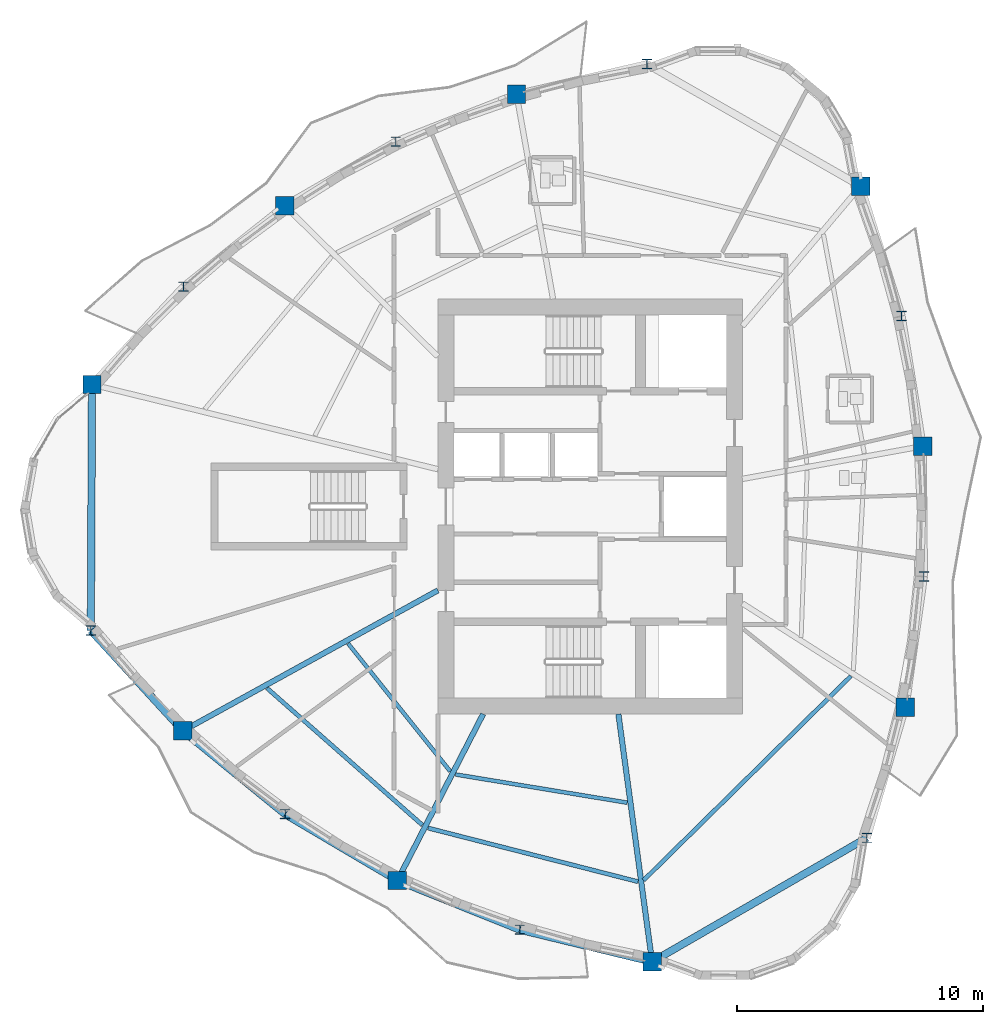
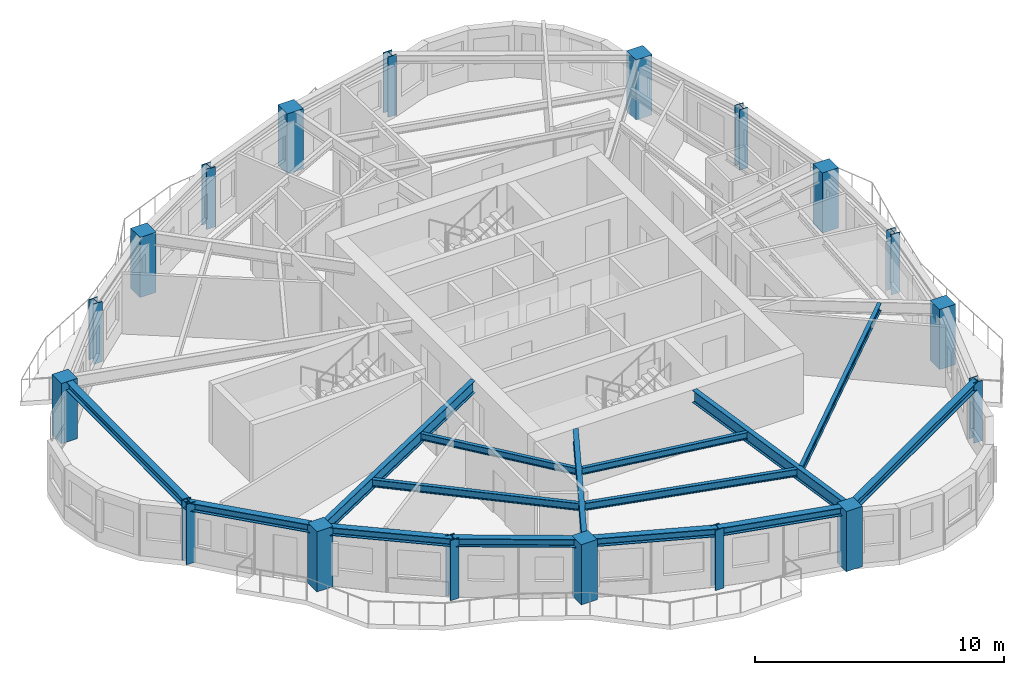
# One storey, part 1 of 13: 18 columns, 15 beams.
"""IFC4 building model written with IfcOpenShell, lengths in metres."""

from ifc_helpers import new_model, si_unit, direction, frame, origin, origin_2d, place, context, subcontext, project, spatial, rectangle, i_section, extrude, source, transform, mapped, material, material_profile, profile_set, type_object, element, save


model = new_model("IFC4")

# Units and contexts
model_context = context("Model", 3, precision=1e-05, world=origin(), true_north=direction((0.0, 1.0)))
body_context = subcontext(model_context, "Body", "Model", "MODEL_VIEW")
ifc_project = project(units=[si_unit("LENGTHUNIT", "METRE"), si_unit("AREAUNIT", "SQUARE_METRE"), si_unit("VOLUMEUNIT", "CUBIC_METRE"), si_unit("PLANEANGLEUNIT", "RADIAN"), si_unit("MASSUNIT", "GRAM", prefix="KILO")], contexts=[model_context])

# Site, building, storey
site_placement = place(None, origin())
site = spatial("IfcSite", under=ifc_project, at=site_placement, CompositionType="ELEMENT")
building_placement = place(site_placement, origin())
building = spatial("IfcBuilding", under=site, at=building_placement, Name="Qafzar Sky-Pleat Residences", CompositionType="ELEMENT")
storey_placement = place(building_placement, frame((0.0, 0.0, 136.199951171875)))
storey = spatial("IfcBuildingStorey", under=building, at=storey_placement, Name="L40", CompositionType="ELEMENT", Elevation=136.199951171875)

# Columns
ifc_material_1 = material(Name="Concrete C60/75", Category="concrete")
ifc_material_profile_1 = material_profile(ifc_material_1, rectangle(XDim=0.75, YDim=0.75, at=origin_2d()), Name="RC 750x750")
ifc_profile_set_1 = profile_set([ifc_material_profile_1], Name="Concrete C60/75")
column_type_1 = type_object("IfcColumnType", Name="COL-RC-750", PredefinedType="COLUMN", material=ifc_profile_set_1)
shared_shape_1 = source(origin(), body_context, "Body", "SweptSolid", [
    extrude(rectangle(XDim=0.75, YDim=0.75, at=origin_2d()), origin(), (0.0, 0.0, 1.0), 2.949951171875),
])
for number, where, z_axis, x_axis, name in (
    (1, (10.064208984375, 30.967529296875, 0.0), (0.0, 0.0, 1.0), (1.0, 0.0, 0.0), "L40 Perimeter Mega Column 1"),
    (2, (13.76708984375, 16.86181640625, 0.0), (0.0, 0.0, 1.0), (1.0, 0.0, 0.0), "L40 Perimeter Mega Column 3"),
    (3, (22.499755859375, 10.770263671875, 0.0), (0.0, 0.0, 1.0), (1.0, 0.0, 0.0), "L40 Perimeter Mega Column 5"),
    (4, (32.873291015625, 7.458251953125, 0.0), (0.0, 0.0, 1.0), (1.0, 0.0, 0.0), "L40 Perimeter Mega Column 7"),
    (5, (43.18359375, 17.83251953125, 0.0), (0.0, 0.0, 1.0), (1.0, 0.0, 0.0), "L40 Perimeter Mega Column 9"),
    (6, (43.88818359375, 28.45654296875, 0.0), (0.0, 0.0, 1.0), (1.0, 0.0, 0.0), "L40 Perimeter Mega Column 11"),
    (7, (41.365478515625, 39.049560546875, 0.0), (0.0, 0.0, 1.0), (1.0, 0.0, 0.0), "L40 Perimeter Mega Column 13"),
    (8, (27.352294921875, 42.781005859375, 0.0), (0.0, 0.0, 1.0), (1.0, 0.0, 0.0), "L40 Perimeter Mega Column 15"),
    (9, (17.914794921875, 38.24853515625, 0.0), (0.0, 0.0, 1.0), (1.0, 0.0, 0.0), "L40 Perimeter Mega Column 17"),
):
    element("IfcColumn", number, at=place(storey_placement, frame(where, z_axis=z_axis, x_axis=x_axis)), inside=storey, type_object=column_type_1, Name=name, PredefinedType="COLUMN", context=body_context, shape_type="MappedRepresentation", body=[
        mapped(shared_shape_1, transform((0.0, 0.0, 0.0), x_axis=(1.0, 0.0, 0.0), y_axis=(0.0, 1.0, 0.0), z_axis=(0.0, 0.0, 1.0), scale=1.0)),
    ])
ifc_material_2 = material(Name="Steel S355", Category="steel")
ifc_material_profile_2 = material_profile(ifc_material_2, i_section(OverallWidth=0.40087890625, OverallDepth=0.39892578125, WebThickness=0.02294921875, FlangeThickness=0.035888671875, FilletRadius=0.014892578125, at=origin_2d()), Name="HD 400x314")
ifc_profile_set_2 = profile_set([ifc_material_profile_2], Name="Steel S355")
column_type_2 = type_object("IfcColumnType", Name="COL-STL-HD314", PredefinedType="PILASTER", material=ifc_profile_set_2)
shared_shape_2 = source(origin(), body_context, "Body", "SweptSolid", [
    extrude(i_section(OverallWidth=0.40087890625, OverallDepth=0.39892578125, WebThickness=0.02294921875, FlangeThickness=0.035888671875, FilletRadius=0.014892578125, at=origin_2d()), origin(), (0.0, 0.0, 1.0), 2.949951171875),
])
for number, where, z_axis, x_axis, name in (
    (10, (10.015869140625, 20.94970703125, 0.0), (0.0, 0.0, 1.0), (1.0, 0.0, 0.0), "L40 Perimeter Mega Column 2"),
    (11, (17.928466796875, 13.468505859375, 0.0), (0.0, 0.0, 1.0), (1.0, 0.0, 0.0), "L40 Perimeter Mega Column 4"),
    (12, (27.4814453125, 8.766845703125, 0.0), (0.0, 0.0, 1.0), (1.0, 0.0, 0.0), "L40 Perimeter Mega Column 6"),
    (13, (41.62109375, 12.5087890625, 0.0), (0.0, 0.0, 1.0), (1.0, 0.0, 0.0), "L40 Perimeter Mega Column 8"),
    (14, (43.939453125, 23.1484375, 0.0), (0.0, 0.0, 1.0), (1.0, 0.0, 0.0), "L40 Perimeter Mega Column 10"),
    (15, (43.030517578125, 33.757080078125, 0.0), (0.0, 0.0, 1.0), (1.0, 0.0, 0.0), "L40 Perimeter Mega Column 12"),
    (16, (32.666015625, 44.0166015625, 0.0), (0.0, 0.0, 1.0), (1.0, 0.0, 0.0), "L40 Perimeter Mega Column 14"),
    (17, (22.43505859375, 40.8583984375, 0.0), (0.0, 0.0, 1.0), (1.0, 0.0, 0.0), "L40 Perimeter Mega Column 16"),
    (18, (13.791015625, 34.95166015625, 0.0), (0.0, 0.0, 1.0), (1.0, 0.0, 0.0), "L40 Perimeter Mega Column 18"),
):
    element("IfcColumn", number, at=place(storey_placement, frame(where, z_axis=z_axis, x_axis=x_axis)), inside=storey, type_object=column_type_2, Name=name, PredefinedType="PILASTER", context=body_context, shape_type="MappedRepresentation", body=[
        mapped(shared_shape_2, transform((0.0, 0.0, 0.0), x_axis=(1.0, 0.0, 0.0), y_axis=(0.0, 1.0, 0.0), z_axis=(0.0, 0.0, 1.0), scale=1.0)),
    ])

# Beams
ifc_material_profile_3 = material_profile(ifc_material_2, i_section(OverallWidth=0.300048828125, OverallDepth=0.39990234375, WebThickness=0.013427734375, FlangeThickness=0.02392578125, FilletRadius=0.027099609375, at=origin_2d()), Name="HEB 400")
ifc_profile_set_3 = profile_set([ifc_material_profile_3], Name="Steel S355")
beam_type_1 = type_object("IfcBeamType", Name="BM-SPAN-HEB400", PredefinedType="SPANDREL", material=ifc_profile_set_3)
shared_shape_3 = source(origin(), body_context, "Body", "SweptSolid", [
    extrude(i_section(OverallWidth=0.300048828125, OverallDepth=0.39990234375, WebThickness=0.013427734375, FlangeThickness=0.02392578125, FilletRadius=0.027099609375, at=origin_2d()), origin(), (0.0, 0.0, 1.0), 10.017822265625),
])
beam_1_placement = place(storey_placement, frame((10.064208984375, 30.967529296875, 2.748046875), z_axis=(-0.00482532827, -0.999988358036, 0.0), x_axis=(0.999988358036, -0.00482532827, 0.0)))
element("IfcBeam", 19, at=beam_1_placement, inside=storey, type_object=beam_type_1, Name="L40 Perimeter Spandrel Beam 1", PredefinedType="SPANDREL", context=body_context, shape_type="MappedRepresentation", body=[
    mapped(shared_shape_3, transform((0.0, 0.0, 0.0), x_axis=(1.0, 0.0, 0.0), y_axis=(0.0, 1.0, 0.0), z_axis=(0.0, 0.0, 1.0), scale=1.0)),
])
shared_shape_4 = source(origin(), body_context, "Body", "SweptSolid", [
    extrude(i_section(OverallWidth=0.300048828125, OverallDepth=0.39990234375, WebThickness=0.013427734375, FlangeThickness=0.02392578125, FilletRadius=0.027099609375, at=origin_2d()), origin(), (0.0, 0.0, 1.0), 5.548095703125),
])
beam_2_placement = place(storey_placement, frame((10.015869140625, 20.94970703125, 2.748046875), z_axis=(0.676115086254, -0.736796030214, 0.0), x_axis=(0.736796030214, 0.676115086254, 0.0)))
element("IfcBeam", 20, at=beam_2_placement, inside=storey, type_object=beam_type_1, Name="L40 Perimeter Spandrel Beam 2", PredefinedType="SPANDREL", context=body_context, shape_type="MappedRepresentation", body=[
    mapped(shared_shape_4, transform((0.0, 0.0, 0.0), x_axis=(1.0, 0.0, 0.0), y_axis=(0.0, 1.0, 0.0), z_axis=(0.0, 0.0, 1.0), scale=1.0)),
])
shared_shape_5 = source(origin(), body_context, "Body", "SweptSolid", [
    extrude(i_section(OverallWidth=0.300048828125, OverallDepth=0.39990234375, WebThickness=0.013427734375, FlangeThickness=0.02392578125, FilletRadius=0.027099609375, at=origin_2d()), origin(), (0.0, 0.0, 1.0), 5.36962890625),
])
beam_3_placement = place(storey_placement, frame((13.76708984375, 16.86181640625, 2.748046875), z_axis=(0.775001557848, -0.63195932253, 0.0), x_axis=(0.63195932253, 0.775001557848, 0.0)))
element("IfcBeam", 21, at=beam_3_placement, inside=storey, type_object=beam_type_1, Name="L40 Perimeter Spandrel Beam 3", PredefinedType="SPANDREL", context=body_context, shape_type="MappedRepresentation", body=[
    mapped(shared_shape_5, transform((0.0, 0.0, 0.0), x_axis=(1.0, 0.0, 0.0), y_axis=(0.0, 1.0, 0.0), z_axis=(0.0, 0.0, 1.0), scale=1.0)),
])
shared_shape_6 = source(origin(), body_context, "Body", "SweptSolid", [
    extrude(i_section(OverallWidth=0.300048828125, OverallDepth=0.39990234375, WebThickness=0.013427734375, FlangeThickness=0.02392578125, FilletRadius=0.027099609375, at=origin_2d()), origin(), (0.0, 0.0, 1.0), 5.30810546875),
])
beam_4_placement = place(storey_placement, frame((17.928466796875, 13.468505859375, 2.748046875), z_axis=(0.861171817652, -0.508313978247, 0.0), x_axis=(0.508313978247, 0.861171817652, 0.0)))
element("IfcBeam", 22, at=beam_4_placement, inside=storey, type_object=beam_type_1, Name="L40 Perimeter Spandrel Beam 4", PredefinedType="SPANDREL", context=body_context, shape_type="MappedRepresentation", body=[
    mapped(shared_shape_6, transform((0.0, 0.0, 0.0), x_axis=(1.0, 0.0, 0.0), y_axis=(0.0, 1.0, 0.0), z_axis=(0.0, 0.0, 1.0), scale=1.0)),
])
shared_shape_7 = source(origin(), body_context, "Body", "SweptSolid", [
    extrude(i_section(OverallWidth=0.300048828125, OverallDepth=0.39990234375, WebThickness=0.013427734375, FlangeThickness=0.02392578125, FilletRadius=0.027099609375, at=origin_2d()), origin(), (0.0, 0.0, 1.0), 5.369384765625),
])
beam_5_placement = place(storey_placement, frame((22.499755859375, 10.770263671875, 2.748046875), z_axis=(0.927785221824, -0.373114703763, 0.0), x_axis=(0.373114703763, 0.927785221824, 0.0)))
element("IfcBeam", 23, at=beam_5_placement, inside=storey, type_object=beam_type_1, Name="L40 Perimeter Spandrel Beam 5", PredefinedType="SPANDREL", context=body_context, shape_type="MappedRepresentation", body=[
    mapped(shared_shape_7, transform((0.0, 0.0, 0.0), x_axis=(1.0, 0.0, 0.0), y_axis=(0.0, 1.0, 0.0), z_axis=(0.0, 0.0, 1.0), scale=1.0)),
])
shared_shape_8 = source(origin(), body_context, "Body", "SweptSolid", [
    extrude(i_section(OverallWidth=0.300048828125, OverallDepth=0.39990234375, WebThickness=0.013427734375, FlangeThickness=0.02392578125, FilletRadius=0.027099609375, at=origin_2d()), origin(), (0.0, 0.0, 1.0), 5.54833984375),
])
beam_6_placement = place(storey_placement, frame((27.4814453125, 8.766845703125, 2.748046875), z_axis=(0.97178901186, -0.235851895113, 0.0), x_axis=(0.235851895113, 0.97178901186, 0.0)))
element("IfcBeam", 24, at=beam_6_placement, inside=storey, type_object=beam_type_1, Name="L40 Perimeter Spandrel Beam 6", PredefinedType="SPANDREL", context=body_context, shape_type="MappedRepresentation", body=[
    mapped(shared_shape_8, transform((0.0, 0.0, 0.0), x_axis=(1.0, 0.0, 0.0), y_axis=(0.0, 1.0, 0.0), z_axis=(0.0, 0.0, 1.0), scale=1.0)),
])
shared_shape_9 = source(origin(), body_context, "Body", "SweptSolid", [
    extrude(i_section(OverallWidth=0.300048828125, OverallDepth=0.39990234375, WebThickness=0.013427734375, FlangeThickness=0.02392578125, FilletRadius=0.027099609375, at=origin_2d()), origin(), (0.0, 0.0, 1.0), 10.10107421875),
])
beam_7_placement = place(storey_placement, frame((32.873291015625, 7.458251953125, 2.748046875), z_axis=(0.866025796203, 0.499999320311, 0.0), x_axis=(-0.499999320311, 0.866025796203, 0.0)))
element("IfcBeam", 25, at=beam_7_placement, inside=storey, type_object=beam_type_1, Name="L40 Perimeter Spandrel Beam 7", PredefinedType="SPANDREL", context=body_context, shape_type="MappedRepresentation", body=[
    mapped(shared_shape_9, transform((0.0, 0.0, 0.0), x_axis=(1.0, 0.0, 0.0), y_axis=(0.0, 1.0, 0.0), z_axis=(0.0, 0.0, 1.0), scale=1.0)),
])
ifc_material_profile_4 = material_profile(ifc_material_2, i_section(OverallWidth=0.219970703125, OverallDepth=0.60009765625, WebThickness=0.011962890625, FlangeThickness=0.01904296875, FilletRadius=0.02392578125, at=origin_2d()), Name="IPE 600")
ifc_profile_set_4 = profile_set([ifc_material_profile_4], Name="Steel S355")
beam_type_2 = type_object("IfcBeamType", Name="BM-SEC-IPE600", PredefinedType="BEAM", material=ifc_profile_set_4)
shared_shape_10 = source(origin(), body_context, "Body", "SweptSolid", [
    extrude(i_section(OverallWidth=0.219970703125, OverallDepth=0.60009765625, WebThickness=0.011962890625, FlangeThickness=0.01904296875, FilletRadius=0.02392578125, at=origin_2d()), origin(), (0.0, 0.0, 1.0), 11.85498046875),
])
beam_8_placement = place(storey_placement, frame((13.76708984375, 16.86181640625, 2.64794921875), z_axis=(0.875819070007, 0.482639572157, 0.0), x_axis=(-0.482639572157, 0.875819070007, 0.0)))
element("IfcBeam", 26, at=beam_8_placement, inside=storey, type_object=beam_type_2, Name="L40 Radial Floor Girder 3", PredefinedType="BEAM", context=body_context, shape_type="MappedRepresentation", body=[
    mapped(shared_shape_10, transform((0.0, 0.0, 0.0), x_axis=(1.0, 0.0, 0.0), y_axis=(0.0, 1.0, 0.0), z_axis=(0.0, 0.0, 1.0), scale=1.0)),
])
shared_shape_11 = source(origin(), body_context, "Body", "SweptSolid", [
    extrude(i_section(OverallWidth=0.219970703125, OverallDepth=0.60009765625, WebThickness=0.011962890625, FlangeThickness=0.01904296875, FilletRadius=0.02392578125, at=origin_2d()), origin(), (0.0, 0.0, 1.0), 7.62744140625),
])
beam_9_placement = place(storey_placement, frame((22.499755859375, 10.770263671875, 2.64794921875), z_axis=(0.458165071573, 0.888867125723, 0.0), x_axis=(-0.888867125723, 0.458165071573, 0.0)))
element("IfcBeam", 27, at=beam_9_placement, inside=storey, type_object=beam_type_2, Name="L40 Radial Floor Girder 5", PredefinedType="BEAM", context=body_context, shape_type="MappedRepresentation", body=[
    mapped(shared_shape_11, transform((0.0, 0.0, 0.0), x_axis=(1.0, 0.0, 0.0), y_axis=(0.0, 1.0, 0.0), z_axis=(0.0, 0.0, 1.0), scale=1.0)),
])
shared_shape_12 = source(origin(), body_context, "Body", "SweptSolid", [
    extrude(i_section(OverallWidth=0.219970703125, OverallDepth=0.60009765625, WebThickness=0.011962890625, FlangeThickness=0.01904296875, FilletRadius=0.02392578125, at=origin_2d()), origin(), (0.0, 0.0, 1.0), 10.184814453125),
])
beam_10_placement = place(storey_placement, frame((32.873291015625, 7.458251953125, 2.64794921875), z_axis=(-0.134837216246, 0.990867763687, 0.0), x_axis=(-0.990867763687, -0.134837216246, 0.0)))
element("IfcBeam", 28, at=beam_10_placement, inside=storey, type_object=beam_type_2, Name="L40 Radial Floor Girder 7", PredefinedType="BEAM", context=body_context, shape_type="MappedRepresentation", body=[
    mapped(shared_shape_12, transform((0.0, 0.0, 0.0), x_axis=(1.0, 0.0, 0.0), y_axis=(0.0, 1.0, 0.0), z_axis=(0.0, 0.0, 1.0), scale=1.0)),
])
ifc_material_profile_5 = material_profile(ifc_material_2, i_section(OverallWidth=0.169921875, OverallDepth=0.360107421875, WebThickness=0.008056640625, FlangeThickness=0.0126953125, FilletRadius=0.01806640625, at=origin_2d()), Name="IPE 360")
ifc_profile_set_5 = profile_set([ifc_material_profile_5], Name="Steel S355")
beam_type_3 = type_object("IfcBeamType", Name="BM-JST-IPE360", PredefinedType="JOIST", material=ifc_profile_set_5)
shared_shape_13 = source(origin(), body_context, "Body", "SweptSolid", [
    extrude(i_section(OverallWidth=0.169921875, OverallDepth=0.360107421875, WebThickness=0.008056640625, FlangeThickness=0.0126953125, FilletRadius=0.01806640625, at=origin_2d()), origin(), (0.0, 0.0, 1.0), 8.431640625),
])
beam_11_placement = place(storey_placement, frame((17.19091796875, 18.603515625, 2.76806640625), z_axis=(0.750263581122, -0.661138834771, 0.0), x_axis=(0.661138834771, 0.750263581122, 0.0)))
element("IfcBeam", 29, at=beam_11_placement, inside=storey, type_object=beam_type_3, Name="L40 Outer Secondary Floor Joist 2", PredefinedType="JOIST", context=body_context, shape_type="MappedRepresentation", body=[
    mapped(shared_shape_13, transform((0.0, 0.0, 0.0), x_axis=(1.0, 0.0, 0.0), y_axis=(0.0, 1.0, 0.0), z_axis=(0.0, 0.0, 1.0), scale=1.0)),
])
shared_shape_14 = source(origin(), body_context, "Body", "SweptSolid", [
    extrude(i_section(OverallWidth=0.169921875, OverallDepth=0.360107421875, WebThickness=0.008056640625, FlangeThickness=0.0126953125, FilletRadius=0.01806640625, at=origin_2d()), origin(), (0.0, 0.0, 1.0), 8.828857421875),
])
beam_12_placement = place(storey_placement, frame((23.748779296875, 12.90625, 2.76806640625), z_axis=(0.968883714803, -0.247516357418, 0.0), x_axis=(0.247516357418, 0.968883714803, 0.0)))
element("IfcBeam", 30, at=beam_12_placement, inside=storey, type_object=beam_type_3, Name="L40 Outer Secondary Floor Joist 3", PredefinedType="JOIST", context=body_context, shape_type="MappedRepresentation", body=[
    mapped(shared_shape_14, transform((0.0, 0.0, 0.0), x_axis=(1.0, 0.0, 0.0), y_axis=(0.0, 1.0, 0.0), z_axis=(0.0, 0.0, 1.0), scale=1.0)),
])
shared_shape_15 = source(origin(), body_context, "Body", "SweptSolid", [
    extrude(i_section(OverallWidth=0.169921875, OverallDepth=0.360107421875, WebThickness=0.008056640625, FlangeThickness=0.0126953125, FilletRadius=0.01806640625, at=origin_2d()), origin(), (0.0, 0.0, 1.0), 11.83837890625),
])
beam_13_placement = place(storey_placement, frame((32.52978515625, 10.7822265625, 2.76806640625), z_axis=(0.712499561972, 0.701672554822, 0.0), x_axis=(-0.701672554822, 0.712499561972, 0.0)))
element("IfcBeam", 31, at=beam_13_placement, inside=storey, type_object=beam_type_3, Name="L40 Outer Secondary Floor Joist 4", PredefinedType="JOIST", context=body_context, shape_type="MappedRepresentation", body=[
    mapped(shared_shape_15, transform((0.0, 0.0, 0.0), x_axis=(1.0, 0.0, 0.0), y_axis=(0.0, 1.0, 0.0), z_axis=(0.0, 0.0, 1.0), scale=1.0)),
])
ifc_material_profile_6 = material_profile(ifc_material_2, i_section(OverallWidth=0.159912109375, OverallDepth=0.330078125, WebThickness=0.007568359375, FlangeThickness=0.011474609375, FilletRadius=0.01806640625, at=origin_2d()), Name="IPE 330")
ifc_profile_set_6 = profile_set([ifc_material_profile_6], Name="Steel S355")
beam_type_4 = type_object("IfcBeamType", Name="BM-JST-IPE330", PredefinedType="JOIST", material=ifc_profile_set_6)
shared_shape_16 = source(origin(), body_context, "Body", "SweptSolid", [
    extrude(i_section(OverallWidth=0.159912109375, OverallDepth=0.330078125, WebThickness=0.007568359375, FlangeThickness=0.011474609375, FilletRadius=0.01806640625, at=origin_2d()), origin(), (0.0, 0.0, 1.0), 6.6591796875),
])
beam_14_placement = place(storey_placement, frame((20.496337890625, 20.418212890625, 2.782958984375), z_axis=(0.624059963156, -0.781376453693, 0.0), x_axis=(0.781376453693, 0.624059963156, 0.0)))
element("IfcBeam", 32, at=beam_14_placement, inside=storey, type_object=beam_type_4, Name="L40 Inner Secondary Floor Joist 2", PredefinedType="JOIST", context=body_context, shape_type="MappedRepresentation", body=[
    mapped(shared_shape_16, transform((0.0, 0.0, 0.0), x_axis=(1.0, 0.0, 0.0), y_axis=(0.0, 1.0, 0.0), z_axis=(0.0, 0.0, 1.0), scale=1.0)),
])
shared_shape_17 = source(origin(), body_context, "Body", "SweptSolid", [
    extrude(i_section(OverallWidth=0.159912109375, OverallDepth=0.330078125, WebThickness=0.007568359375, FlangeThickness=0.011474609375, FilletRadius=0.01806640625, at=origin_2d()), origin(), (0.0, 0.0, 1.0), 7.085205078125),
])
beam_15_placement = place(storey_placement, frame((24.86962890625, 15.08740234375, 2.782958984375), z_axis=(0.98677033881, -0.162124330206, 0.0), x_axis=(0.162124330206, 0.98677033881, 0.0)))
element("IfcBeam", 33, at=beam_15_placement, inside=storey, type_object=beam_type_4, Name="L40 Inner Secondary Floor Joist 3", PredefinedType="JOIST", context=body_context, shape_type="MappedRepresentation", body=[
    mapped(shared_shape_17, transform((0.0, 0.0, 0.0), x_axis=(1.0, 0.0, 0.0), y_axis=(0.0, 1.0, 0.0), z_axis=(0.0, 0.0, 1.0), scale=1.0)),
])

save(model, "model.ifc")
